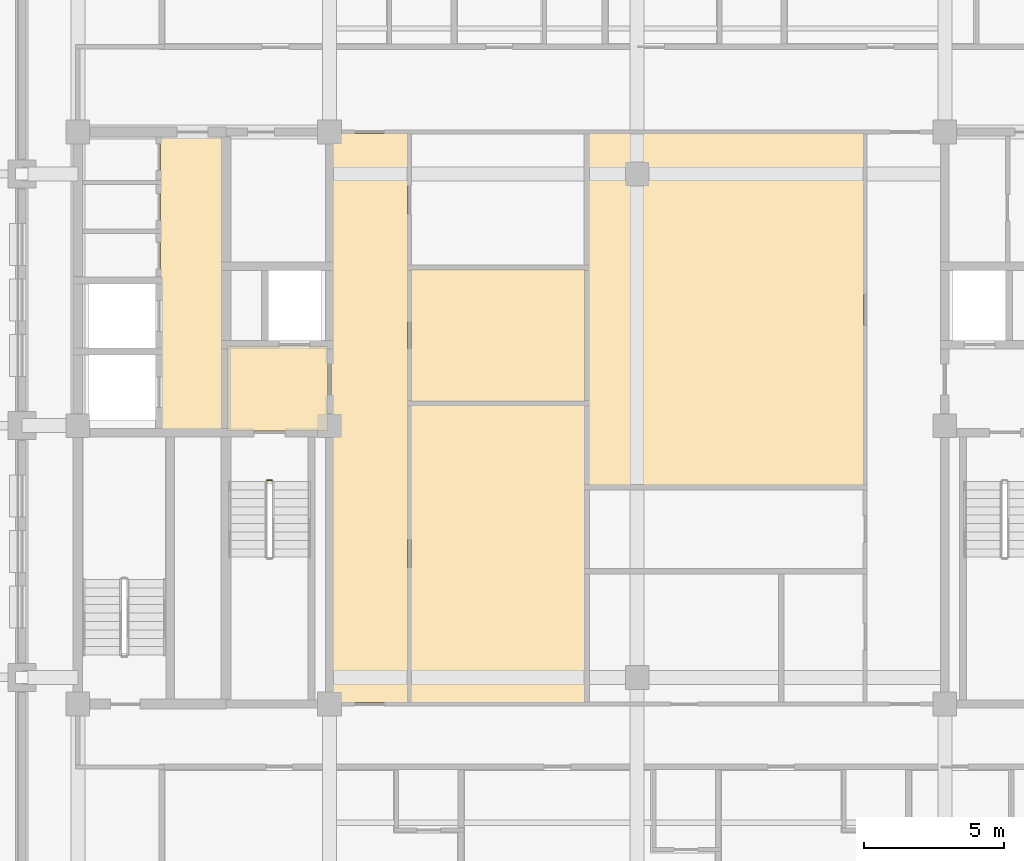
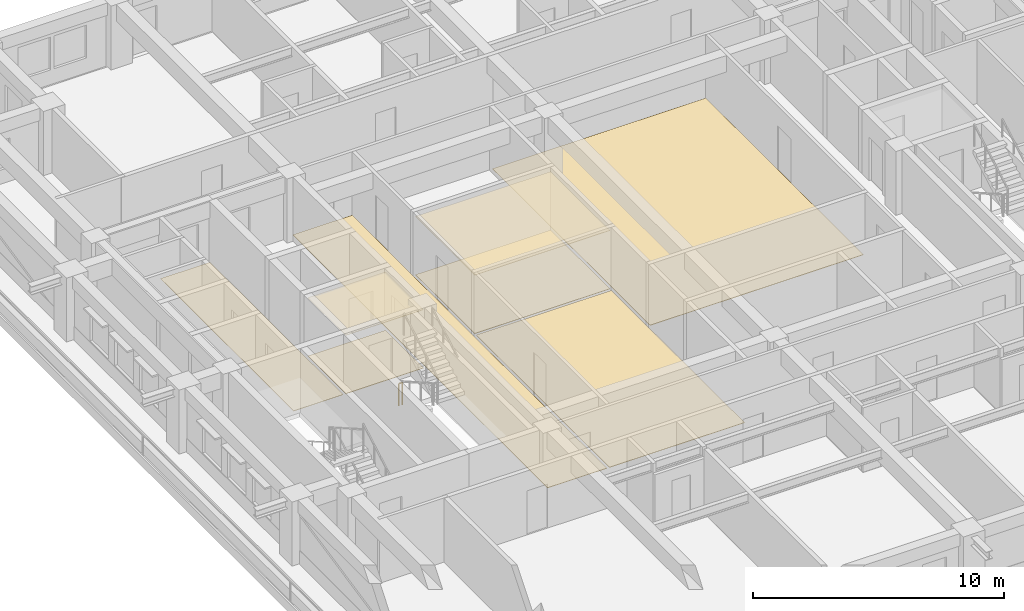
# One storey, part 12 of 15: 8 coverings, 1 railing.
"""IFC4 building model written with IfcOpenShell, lengths in metres."""

from ifc_helpers import new_model, si_unit, direction, frame, origin, origin_2d, place, context, subcontext, project, spatial, polyline, rectangle, outline, extrude, material, layer, layer_set, type_object, element, save


model = new_model("IFC4")

# Units and contexts
model_context = context("Model", 3, precision=1e-05, world=origin(), true_north=direction((0.0, 1.0)))
body_context = subcontext(model_context, "Body", "Model", "MODEL_VIEW")
ifc_project = project(units=[si_unit("LENGTHUNIT", "METRE"), si_unit("AREAUNIT", "SQUARE_METRE"), si_unit("VOLUMEUNIT", "CUBIC_METRE"), si_unit("PLANEANGLEUNIT", "RADIAN"), si_unit("MASSUNIT", "GRAM", prefix="KILO")], contexts=[model_context])

# Site, building, storey
site_placement = place(None, origin())
site = spatial("IfcSite", under=ifc_project, at=site_placement, CompositionType="ELEMENT")
building_placement = place(site_placement, origin())
building = spatial("IfcBuilding", under=site, at=building_placement, Name="Zulmaris Gate Convention Tower", CompositionType="ELEMENT")
storey_placement = place(building_placement, frame((0.0, 0.0, 172.85986328125)))
storey = spatial("IfcBuildingStorey", under=building, at=storey_placement, Name="L44", CompositionType="ELEMENT", Elevation=172.85986328125)

# Coverings
ifc_material_1 = material(Name="Mineral Fibre Acoustic Ceiling Tile")
ifc_layer_1 = layer(ifc_material_1, 0.02001953125, Name="Mineral Fibre Acoustic Ceiling Tile")
ifc_layer_set_1 = layer_set([ifc_layer_1], Name="Mineral Fibre Acoustic Ceiling Tile")
covering_type_1 = type_object("IfcCoveringType", Name="CLG-ACOUSTIC-600", PredefinedType="CEILING", material=ifc_layer_set_1)
covering_1_placement = place(storey_placement, frame((0.0, 0.0, 2.844970703125)))
element("IfcCovering", 1, at=covering_1_placement, inside=storey, type_object=covering_type_1, Name="CLG-L44-R03", PredefinedType="CEILING", context=body_context, shape_type="SweptSolid", body=[
    extrude(outline(polyline([(-14.639892578125, -0.18994140625), (-11.06005859375, -0.18994140625), (-11.06005859375, 2.840087890625), (-14.639892578125, 2.840087890625), (-14.639892578125, -0.18994140625)])), origin(), (0.0, 0.0, 1.0), 0.02001953125),
])
ifc_material_2 = material(Name="Moisture-Resistant Gypsum Board")
ifc_layer_2 = layer(ifc_material_2, 0.02001953125, Name="Moisture-Resistant Gypsum Board")
ifc_layer_set_2 = layer_set([ifc_layer_2], Name="Moisture-Resistant Gypsum Board")
covering_type_2 = type_object("IfcCoveringType", Name="CLG-GYPSUM-FLUSH", PredefinedType="CEILING", material=ifc_layer_set_2)
covering_2_placement = place(storey_placement, frame((0.0, 0.0, 2.844970703125)))
element("IfcCovering", 2, at=covering_2_placement, inside=storey, type_object=covering_type_2, Name="CLG-L44-R56", PredefinedType="CEILING", context=body_context, shape_type="SweptSolid", body=[
    extrude(outline(polyline([(-8.090087890625, 0.860107421875), (-1.860107421875, 0.860107421875), (-1.860107421875, 5.590087890625), (-8.090087890625, 5.590087890625), (-8.090087890625, 0.860107421875)])), origin(), (0.0, 0.0, 1.0), 0.02001953125),
])
ifc_material_3 = material(Name="Woven Acoustic Wool Carpet Tile")
ifc_layer_3 = layer(ifc_material_3, 0.02001953125, Name="Woven Acoustic Wool Carpet Tile")
ifc_layer_set_3 = layer_set([ifc_layer_3], Name="Woven Acoustic Wool Carpet Tile")
covering_type_3 = type_object("IfcCoveringType", Name="FLR-CARPET-12", PredefinedType="FLOORING", material=ifc_layer_set_3)
covering_3_placement = place(storey_placement, origin())
element("IfcCovering", 3, at=covering_3_placement, inside=storey, type_object=covering_type_3, Name="FLR-L44-R03", PredefinedType="FLOORING", context=body_context, shape_type="SweptSolid", body=[
    extrude(outline(polyline([(-14.639892578125, -0.18994140625), (-11.06005859375, -0.18994140625), (-11.06005859375, 2.840087890625), (-14.639892578125, 2.840087890625), (-14.639892578125, -0.18994140625)])), origin(), (0.0, 0.0, 1.0), 0.02001953125),
])
covering_4_placement = place(storey_placement, origin())
element("IfcCovering", 4, at=covering_4_placement, inside=storey, type_object=covering_type_3, Name="FLR-L44-R18", PredefinedType="FLOORING", context=body_context, shape_type="SweptSolid", body=[
    extrude(outline(polyline([(-17.0400390625, -0.18994140625), (-14.760009765625, -0.18994140625), (-14.760009765625, 10.43994140625), (-17.0400390625, 10.43994140625), (-17.0400390625, -0.18994140625)])), origin(), (0.0, 0.0, 1.0), 0.02001953125),
])
covering_5_placement = place(storey_placement, origin())
element("IfcCovering", 5, at=covering_5_placement, inside=storey, type_object=covering_type_3, Name="FLR-L44-R33", PredefinedType="FLOORING", context=body_context, shape_type="SweptSolid", body=[
    extrude(outline(polyline([(-10.93994140625, -9.889892578125), (-8.2099609375, -9.889892578125), (-8.2099609375, 10.43994140625), (-10.93994140625, 10.43994140625), (-10.93994140625, -9.889892578125)])), origin(), (0.0, 0.0, 1.0), 0.02001953125),
])
covering_6_placement = place(storey_placement, origin())
element("IfcCovering", 6, at=covering_6_placement, inside=storey, type_object=covering_type_3, Name="FLR-L44-R57", PredefinedType="FLOORING", context=body_context, shape_type="SweptSolid", body=[
    extrude(outline(polyline([(-8.090087890625, -9.889892578125), (-1.860107421875, -9.889892578125), (-1.860107421875, 0.739990234375), (-8.090087890625, 0.739990234375), (-8.090087890625, -9.889892578125)])), origin(), (0.0, 0.0, 1.0), 0.02001953125),
])
ifc_material_4 = material(Name="Polished Granite Terrazzo Tile", Category="masonry")
ifc_layer_4 = layer(ifc_material_4, 0.02001953125, Name="Polished Granite Terrazzo Tile")
ifc_layer_set_4 = layer_set([ifc_layer_4], Name="Polished Granite Terrazzo Tile")
covering_type_4 = type_object("IfcCoveringType", Name="FLR-TERRAZZO-30", PredefinedType="FLOORING", material=ifc_layer_set_4)
covering_7_placement = place(storey_placement, origin())
element("IfcCovering", 7, at=covering_7_placement, inside=storey, type_object=covering_type_4, Name="FLR-L44-R56", PredefinedType="FLOORING", context=body_context, shape_type="SweptSolid", body=[
    extrude(outline(polyline([(-8.090087890625, 0.860107421875), (-1.860107421875, 0.860107421875), (-1.860107421875, 5.590087890625), (-8.090087890625, 5.590087890625), (-8.090087890625, 0.860107421875)])), origin(), (0.0, 0.0, 1.0), 0.02001953125),
])
ifc_material_5 = material(Name="Engineered Teak Parquet Flooring")
ifc_layer_5 = layer(ifc_material_5, 0.02001953125, Name="Engineered Teak Parquet Flooring")
ifc_layer_set_5 = layer_set([ifc_layer_5], Name="Engineered Teak Parquet Flooring")
covering_type_5 = type_object("IfcCoveringType", Name="FLR-TIMBER-18", PredefinedType="FLOORING", material=ifc_layer_set_5)
covering_8_placement = place(storey_placement, origin())
element("IfcCovering", 8, at=covering_8_placement, inside=storey, type_object=covering_type_5, Name="FLR-L44-R58", PredefinedType="FLOORING", context=body_context, shape_type="SweptSolid", body=[
    extrude(outline(polyline([(-1.739990234375, -2.139892578125), (8.090087890625, -2.139892578125), (8.090087890625, 10.43994140625), (-1.739990234375, 10.43994140625), (-1.739990234375, -2.139892578125)])), origin(), (0.0, 0.0, 1.0), 0.02001953125),
])

# Railing
ifc_material_6 = material(Name="Painted Galvanised Steel", Category="steel")
railing_type = type_object("IfcRailingType", Name="RL-STG-1150", PredefinedType="GUARDRAIL", material=ifc_material_6)
railing_placement = place(storey_placement, frame((-13.219970703125, -1.949951171875, 0.0)))
element("IfcRailing", 9, at=railing_placement, inside=storey, type_object=railing_type, Name="L44 ST-1 stair guard 4", PredefinedType="GUARDRAIL", context=body_context, shape_type="SweptSolid", body=[
    extrude(rectangle(XDim=0.048095703125, YDim=0.048095703125, at=origin_2d()), frame((0.0, 0.0, 1.076171875), z_axis=(1.0, 0.0, 0.0), x_axis=(0.0, 1.0, 0.0)), (0.0, 0.0, 1.0), 0.159912109375),
    extrude(rectangle(XDim=0.0419921875, YDim=0.0419921875, at=origin_2d()), origin(), (0.0, 0.0, 1.0), 1.052001953125),
    extrude(rectangle(XDim=0.0419921875, YDim=0.0419921875, at=origin_2d()), frame((0.159912109375, 0.0, 0.0)), (0.0, 0.0, 1.0), 1.052001953125),
])

save(model, "model.ifc")
